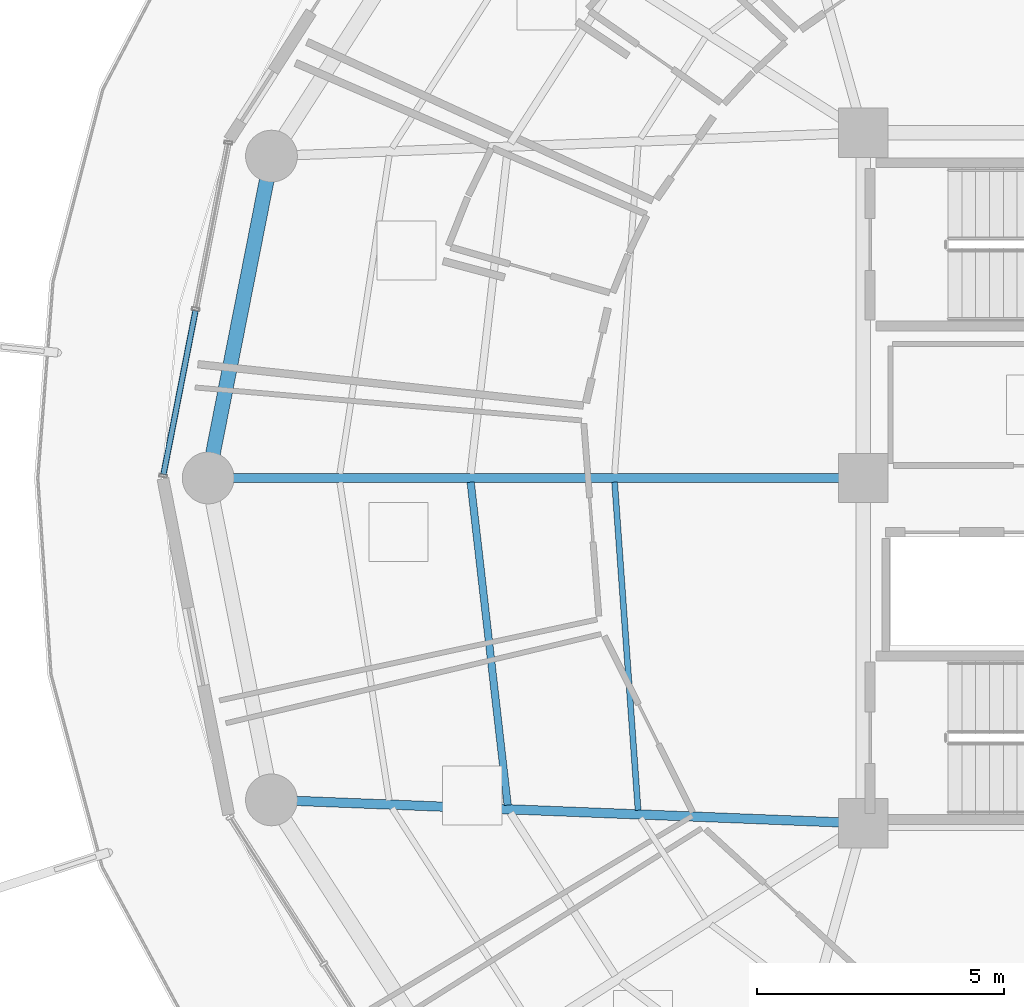
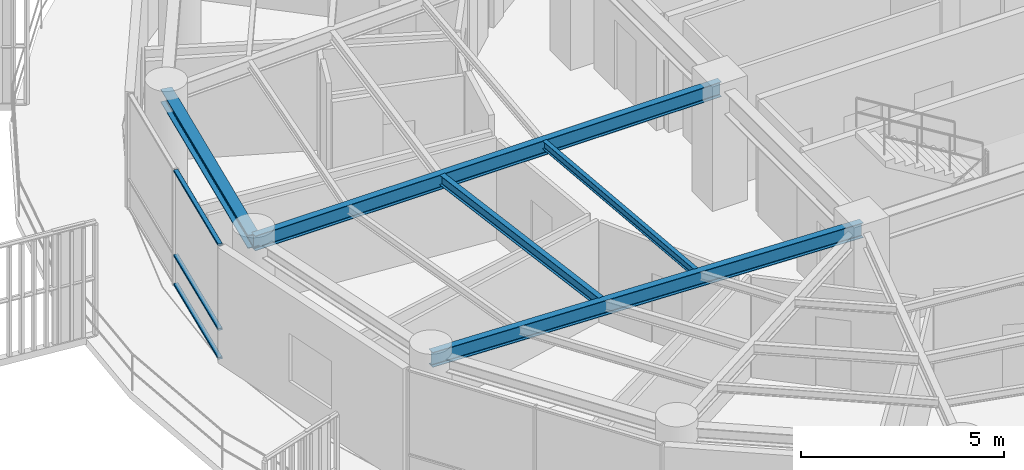
# One storey, part 7 of 31: 5 beams, 3 members, 1 element without a shape of its own.
"""IFC4 building model written with IfcOpenShell, lengths in metres."""

import ifcopenshell
import ifcopenshell.guid

model = None  # the IFC model being written
_history = None  # IfcOwnerHistory: only IFC2X3 demands one
_inside = {}  # id of a spatial element -> (the spatial element, [elements in it])
_under = {}  # id of a project, library or spatial element -> (it, [spatial elements below it])
_declared = {}  # id of a project -> (the project, [libraries it declares])
_typed = {}  # id of a type object -> (the type object, [elements of that type])
_made_of = {}  # id of a material, layer set ... -> (it, [elements and type objects made of it])


def new_model(schema):
    """Start an empty IFC model of exactly this schema.

    Asked for "IFC4X3", IfcOpenShell would pick the latest addendum, in which some entities
    have other attributes; the version numbers below select the first issue.
    IFC2X3 requires an IfcOwnerHistory on every rooted entity: one is made here for all.
    """
    global model, _history
    if schema == "IFC4X3":
        model = ifcopenshell.file(schema_version=(4, 3, 0, 0))
    else:
        model = ifcopenshell.file(schema=schema)
    _inside.clear()
    _under.clear()
    _declared.clear()
    _typed.clear()
    _made_of.clear()
    _history = None
    if model.schema == "IFC2X3":
        org = make("IfcOrganization", Name="unknown")
        user = make(
            "IfcPersonAndOrganization",
            ThePerson=make("IfcPerson", FamilyName="unknown"),
            TheOrganization=org,
        )
        app = make(
            "IfcApplication",
            ApplicationDeveloper=org,
            Version="unknown",
            ApplicationFullName="unknown",
            ApplicationIdentifier="unknown",
        )
        _history = make(
            "IfcOwnerHistory",
            OwningUser=user,
            OwningApplication=app,
            ChangeAction="ADDED",
            CreationDate=0,
        )
    return model


def make(cls, **values):
    """One entity of the class cls with the attributes given. An attribute that is None is left unset."""
    return model.create_entity(
        cls, **{name: value for name, value in values.items() if value is not None}
    )


def rooted(cls, **values):
    """An entity with a GlobalId (a new one), such as an element, a storey or a relation."""
    return make(cls, GlobalId=ifcopenshell.guid.new(), OwnerHistory=_history, **values)


def si_unit(unit_type, name, prefix=None):
    """IfcSIUnit, for example si_unit("LENGTHUNIT", "METRE", prefix="MILLI")."""
    return make("IfcSIUnit", UnitType=unit_type, Prefix=prefix, Name=name)


def assignment(units):
    """IfcUnitAssignment: the units of a project."""
    return None if units is None else make("IfcUnitAssignment", Units=units)


def point(xyz):
    """IfcCartesianPoint."""
    return None if xyz is None else make("IfcCartesianPoint", Coordinates=xyz)


def direction(xyz):
    """IfcDirection."""
    return None if xyz is None else make("IfcDirection", DirectionRatios=xyz)


def frame(location, z_axis=None, x_axis=None):
    """IfcAxis2Placement3D, a coordinate frame: its origin and axes. An axis left out is left unset."""
    return make(
        "IfcAxis2Placement3D",
        Location=point(location),
        Axis=direction(z_axis),
        RefDirection=direction(x_axis),
    )


def frame_2d(location, x_axis=None):
    """IfcAxis2Placement2D, a coordinate frame in the plane: its origin and x axis."""
    return make(
        "IfcAxis2Placement2D", Location=point(location), RefDirection=direction(x_axis)
    )


def origin():
    """The frame at (0, 0, 0) with its axes left unset."""
    return frame((0.0, 0.0, 0.0))


def origin_2d():
    """The frame at (0, 0) in the plane with its x axis left unset."""
    return frame_2d((0.0, 0.0))


def place(relative_to, where):
    """IfcLocalPlacement: puts the frame where relative to a parent placement (None: the world)."""
    return make(
        "IfcLocalPlacement", PlacementRelTo=relative_to, RelativePlacement=where
    )


def context(
    kind, dimensions, precision=None, world=None, true_north=None, identifier=None
):
    """IfcGeometricRepresentationContext, for example the 3D "Model" context."""
    return make(
        "IfcGeometricRepresentationContext",
        ContextIdentifier=identifier,
        ContextType=kind,
        CoordinateSpaceDimension=dimensions,
        Precision=precision,
        WorldCoordinateSystem=world,
        TrueNorth=true_north,
    )


def subcontext(parent, identifier, kind, view, scale=None):
    """IfcGeometricRepresentationSubContext, for example "Body" below "Model"."""
    return make(
        "IfcGeometricRepresentationSubContext",
        ContextIdentifier=identifier,
        ContextType=kind,
        ParentContext=parent,
        TargetScale=scale,
        TargetView=view,
    )


def project(units=None, contexts=None):
    """IfcProject with its units and contexts."""
    return rooted(
        "IfcProject",
        Name="project",
        RepresentationContexts=contexts,
        UnitsInContext=assignment(units),
    )


def spatial(cls, under=None, at=None, **own):
    """A site, building, storey or space (cls), placed at a placement, below another one or the project."""
    s = rooted(cls, ObjectPlacement=at, **own)
    if under is not None:
        _under.setdefault(under.id(), (under, []))[1].append(s)
    return s


def profile(cls, at=None, kind="AREA", **sizes):
    """A parametric profile (cls). Its sizes go by their IFC names, for example OverallWidth=200.0."""
    return make(cls, ProfileType=kind, Position=at, **sizes)


def hollow_rectangle(**sizes):
    """IfcRectangleHollowProfileDef."""
    return profile("IfcRectangleHollowProfileDef", **sizes)


def i_section(**sizes):
    """IfcIShapeProfileDef."""
    return profile("IfcIShapeProfileDef", **sizes)


def extrude(swept, where, along, depth):
    """IfcExtrudedAreaSolid: the profile swept, set in the frame where, extruded along a direction by depth."""
    return make(
        "IfcExtrudedAreaSolid",
        SweptArea=swept,
        Position=where,
        ExtrudedDirection=direction(along),
        Depth=depth,
    )


def shape(context_of_items, identifier, shape_type, items):
    """IfcShapeRepresentation: the items that make up one representation, for example the "Body"."""
    return make(
        "IfcShapeRepresentation",
        ContextOfItems=context_of_items,
        RepresentationIdentifier=identifier,
        RepresentationType=shape_type,
        Items=items,
    )


def material(Name=None, Category=None):
    """IfcMaterial."""
    return make("IfcMaterial", Name=Name, Category=Category)


def layer(
    of_material, thickness, ventilated=None, Name=None, Category=None, Priority=None
):
    """IfcMaterialLayer: one layer of a wall or slab, of a material (None: an air gap)."""
    return make(
        "IfcMaterialLayer",
        Material=of_material,
        LayerThickness=thickness,
        IsVentilated=ventilated,
        Name=Name,
        Category=Category,
        Priority=Priority,
    )


def layer_set(layers, Name=None):
    """IfcMaterialLayerSet."""
    return make("IfcMaterialLayerSet", MaterialLayers=layers, LayerSetName=Name)


def material_profile(
    of_material, cross_section, Name=None, Category=None, Priority=None
):
    """IfcMaterialProfile: a cross section and its material."""
    return make(
        "IfcMaterialProfile",
        Name=Name,
        Material=of_material,
        Profile=cross_section,
        Priority=Priority,
        Category=Category,
    )


def profile_set(profiles, Name=None, composite=None):
    """IfcMaterialProfileSet."""
    return make(
        "IfcMaterialProfileSet",
        Name=Name,
        MaterialProfiles=profiles,
        CompositeProfile=composite,
    )


def made_of(thing, what):
    """Note that an element or type object is made of a material, layer set ...; save() writes the relation."""
    if what is not None:
        _made_of.setdefault(what.id(), (what, []))[1].append(thing)
    return thing


def type_object(cls, material=None, **own):
    """A type object (cls), such as IfcWallType, which elements share."""
    return made_of(rooted(cls, **own), material)


def element(
    cls,
    number,
    at=None,
    inside=None,
    cuts=None,
    type_object=None,
    material=None,
    context=None,
    identifier="Body",
    shape_type=None,
    held_by="IfcProductDefinitionShape",
    body=None,
    shapes=None,
    **own,
):
    """One element of the class cls, such as IfcWall. Its Tag is "e" and its number.

    at: its placement. inside: the storey or other place that contains it. cuts: it is an
    opening in that element (IfcRelVoidsElement). A single representation is given by context,
    identifier, shape_type and body (its items); several are given by shapes. held_by: the class
    of the entity that holds the representations. save() writes the other relations.
    """
    e = rooted(cls, Tag="e%d" % number, ObjectPlacement=at, **own)
    if body is not None:
        shapes = [shape(context, identifier, shape_type, body)]
    if shapes is not None:
        e.Representation = make(held_by, Representations=shapes)
    if inside is not None:
        _inside.setdefault(inside.id(), (inside, []))[1].append(e)
    if cuts is not None:
        rooted(
            "IfcRelVoidsElement", RelatingBuildingElement=cuts, RelatedOpeningElement=e
        )
    if type_object is not None:
        _typed.setdefault(type_object.id(), (type_object, []))[1].append(e)
    return made_of(e, material)


def aggregate(whole, parts):
    """IfcRelAggregates: a whole, such as a stair, and the parts it consists of."""
    return rooted("IfcRelAggregates", RelatingObject=whole, RelatedObjects=parts)


def save(model, path):
    """Write the relations noted so far, then the file.

    IfcRelAggregates (storeys below a building ...), IfcRelContainedInSpatialStructure (elements
    in a storey), IfcRelDefinesByType, IfcRelAssociatesMaterial and IfcRelDeclares: one each for
    every whole, place, type object, material and project.
    """
    for whole, parts in _under.values():
        aggregate(whole, parts)
    for where, things in _inside.values():
        rooted(
            "IfcRelContainedInSpatialStructure",
            RelatedElements=things,
            RelatingStructure=where,
        )
    for kind, things in _typed.values():
        rooted("IfcRelDefinesByType", RelatedObjects=things, RelatingType=kind)
    for what, things in _made_of.values():
        rooted("IfcRelAssociatesMaterial", RelatedObjects=things, RelatingMaterial=what)
    for by, libraries in _declared.values():
        rooted("IfcRelDeclares", RelatingContext=by, RelatedDefinitions=libraries)
    model.write(path)


model = new_model("IFC4")

# Units and contexts
model_context = context("Model", 3, precision=1e-05, world=origin(), true_north=direction((0.0, 1.0)))
body_context = subcontext(model_context, "Body", "Model", "MODEL_VIEW")
ifc_project = project(units=[si_unit("LENGTHUNIT", "METRE"), si_unit("AREAUNIT", "SQUARE_METRE"), si_unit("VOLUMEUNIT", "CUBIC_METRE"), si_unit("PLANEANGLEUNIT", "RADIAN"), si_unit("MASSUNIT", "GRAM", prefix="KILO")], contexts=[model_context])

# Site, building, storey
site_placement = place(None, origin())
site = spatial("IfcSite", under=ifc_project, at=site_placement, CompositionType="ELEMENT")
building_placement = place(site_placement, origin())
building = spatial("IfcBuilding", under=site, at=building_placement, Name="Kelanora Arch Commons", CompositionType="ELEMENT")
storey_placement = place(building_placement, frame((0.0, 0.0, 223.199951171875)))
storey = spatial("IfcBuildingStorey", under=building, at=storey_placement, Name="L57", CompositionType="ELEMENT", Elevation=223.199951171875)

# Beams
ifc_material_1 = material(Name="Steel S355", Category="steel")
ifc_material_profile_1 = material_profile(ifc_material_1, i_section(OverallWidth=0.14990234375, OverallDepth=0.300048828125, WebThickness=0.007080078125, FlangeThickness=0.0107421875, FilletRadius=0.014892578125, at=origin_2d()), Name="IPE300")
ifc_profile_set_1 = profile_set([ifc_material_profile_1], Name="Steel S355")
beam_type_1 = type_object("IfcBeamType", Name="BM-JST-01", PredefinedType="JOIST", material=ifc_profile_set_1)
beam_1_placement = place(storey_placement, frame((58.041748046875, 57.91552734375, 3.340087890625), z_axis=(0.113891408177, -0.993493204377, 0.0), x_axis=(0.993493204377, 0.113891408177, 0.0)))
element("IfcBeam", 1, at=beam_1_placement, inside=storey, type_object=beam_type_1, Name="Secondary Chord Joist BJB-18 L57", PredefinedType="JOIST", context=body_context, shape_type="SweptSolid", body=[
    extrude(i_section(OverallWidth=0.14990234375, OverallDepth=0.300048828125, WebThickness=0.007080078125, FlangeThickness=0.0107421875, FilletRadius=0.014892578125, at=origin_2d()), origin(), (0.0, 0.0, 1.0), 6.589599609375),
])
ifc_material_profile_2 = material_profile(ifc_material_1, i_section(OverallWidth=0.1201171875, OverallDepth=0.239990234375, WebThickness=0.006103515625, FlangeThickness=0.009765625, FilletRadius=0.014892578125, at=origin_2d()), Name="IPE240")
ifc_profile_set_2 = profile_set([ifc_material_profile_2], Name="Steel S355")
beam_type_2 = type_object("IfcBeamType", Name="BM-JST-02", PredefinedType="JOIST", material=ifc_profile_set_2)
beam_2_placement = place(storey_placement, frame((60.959716796875, 57.915283203125, 3.3701171875), z_axis=(0.07133032136, -0.997452748382, 0.0), x_axis=(0.997452748382, 0.07133032136, 0.0)))
element("IfcBeam", 2, at=beam_2_placement, inside=storey, type_object=beam_type_2, Name="Secondary Chord Joist BJA-18 L57", PredefinedType="JOIST", context=body_context, shape_type="SweptSolid", body=[
    extrude(i_section(OverallWidth=0.1201171875, OverallDepth=0.239990234375, WebThickness=0.006103515625, FlangeThickness=0.009765625, FilletRadius=0.014892578125, at=origin_2d()), origin(), (0.0, 0.0, 1.0), 6.66748046875),
])
ifc_material_profile_3 = material_profile(ifc_material_1, i_section(OverallWidth=0.18994140625, OverallDepth=0.449951171875, WebThickness=0.009521484375, FlangeThickness=0.0146484375, FilletRadius=0.02099609375, at=origin_2d()), Name="IPE450")
ifc_profile_set_3 = profile_set([ifc_material_profile_3], Name="Steel S355")
beam_type_3 = type_object("IfcBeamType", Name="BM-RAD-Z4", PredefinedType="BEAM", material=ifc_profile_set_3)
beam_3_placement = place(storey_placement, frame((66.0, 58.0, 3.26513671875), z_axis=(-1.0, 0.0, 0.0), x_axis=(0.0, -1.0, 0.0)))
element("IfcBeam", 3, at=beam_3_placement, inside=storey, type_object=beam_type_3, Name="Radial Floor Girder BR-18 L57", PredefinedType="BEAM", context=body_context, shape_type="SweptSolid", body=[
    extrude(i_section(OverallWidth=0.18994140625, OverallDepth=0.449951171875, WebThickness=0.009521484375, FlangeThickness=0.0146484375, FilletRadius=0.02099609375, at=origin_2d()), origin(), (0.0, 0.0, 1.0), 13.280029296875),
])
beam_4_placement = place(storey_placement, frame((66.0, 51.0, 3.26513671875), z_axis=(-0.999219142585, 0.03951082246, 0.0), x_axis=(-0.03951082246, -0.999219142585, 0.0)))
element("IfcBeam", 4, at=beam_4_placement, inside=storey, type_object=beam_type_3, Name="Radial Floor Girder BR-20 L57", PredefinedType="BEAM", context=body_context, shape_type="SweptSolid", body=[
    extrude(i_section(OverallWidth=0.18994140625, OverallDepth=0.449951171875, WebThickness=0.009521484375, FlangeThickness=0.0146484375, FilletRadius=0.02099609375, at=origin_2d()), origin(), (0.0, 0.0, 1.0), 12.005859375),
])
ifc_material_profile_4 = material_profile(ifc_material_1, i_section(OverallWidth=0.300048828125, OverallDepth=0.39990234375, WebThickness=0.013427734375, FlangeThickness=0.02392578125, FilletRadius=0.027099609375, at=origin_2d()), Name="HEB400")
ifc_profile_set_4 = profile_set([ifc_material_profile_4], Name="Steel S355")
beam_type_4 = type_object("IfcBeamType", Name="BM-SPN-Z4", PredefinedType="SPANDREL", material=ifc_profile_set_4)
beam_5_placement = place(storey_placement, frame((54.00341796875, 64.525634765625, 3.2900390625), z_axis=(-0.192980724826, -0.981202547819, 0.0), x_axis=(0.981202547819, -0.192980724826, 0.0)))
element("IfcBeam", 5, at=beam_5_placement, inside=storey, type_object=beam_type_4, Name="Perimeter Spandrel Beam BS-16 L57", PredefinedType="SPANDREL", context=body_context, shape_type="SweptSolid", body=[
    extrude(i_section(OverallWidth=0.300048828125, OverallDepth=0.39990234375, WebThickness=0.013427734375, FlangeThickness=0.02392578125, FilletRadius=0.027099609375, at=origin_2d()), origin(), (0.0, 0.0, 1.0), 6.650634765625),
])

# Curtain wall, members
ifc_material_2 = material(Name="Terracotta ceramic-fritted low-E glass and aluminium", Category="masonry")
ifc_layer = layer(ifc_material_2, 0.175048828125)
ifc_layer_set = layer_set([ifc_layer], Name="Terracotta ceramic-fritted low-E glass and aluminium")
curtain_wall_type = type_object("IfcCurtainWallType", Name="CW-SYS-02", PredefinedType="NOTDEFINED", material=ifc_layer_set)
curtain_wall_placement = place(storey_placement, origin())
curtain_wall = element("IfcCurtainWall", 6, at=curtain_wall_placement, inside=storey, type_object=curtain_wall_type, Name="Unitised Curtain Wall L57-B08", PredefinedType="NOTDEFINED")
ifc_material_3 = material(Name="Powder-coated aluminium terracotta", Category="masonry")
ifc_material_profile_5 = material_profile(ifc_material_3, hollow_rectangle(XDim=0.1201171875, YDim=0.06005859375, WallThickness=0.0048828125, InnerFilletRadius=0.0048828125, OuterFilletRadius=0.010009765625, at=origin_2d()), Name="CWT120x60")
ifc_profile_set_5 = profile_set([ifc_material_profile_5], Name="Powder-coated aluminium terracotta")
member_type = type_object("IfcMemberType", Name="CWT-STD", PredefinedType="USERDEFINED", material=ifc_profile_set_5)
member_1_placement = place(storey_placement, frame((52.463623046875, 61.390869140625, 0.030029296875), z_axis=(-0.192044874899, -0.981386145218, 0.0), x_axis=(0.981386145218, -0.192044874899, 0.0)))
member_1 = element("IfcMember", 7, at=member_1_placement, type_object=member_type, Name="CW-02 transom 2.1", ObjectType="TRANSOM", PredefinedType="USERDEFINED", context=body_context, shape_type="SweptSolid", body=[
    extrude(hollow_rectangle(XDim=0.1201171875, YDim=0.06005859375, WallThickness=0.0048828125, InnerFilletRadius=0.0048828125, OuterFilletRadius=0.010009765625, at=origin_2d()), origin(), (0.0, 0.0, 1.0), 3.38037109375),
])
member_2_placement = place(storey_placement, frame((52.463623046875, 61.390869140625, 0.900146484375), z_axis=(-0.192044874899, -0.981386145218, 0.0), x_axis=(0.981386145218, -0.192044874899, 0.0)))
member_2 = element("IfcMember", 8, at=member_2_placement, type_object=member_type, Name="CW-02 transom 2.2", ObjectType="TRANSOM", PredefinedType="USERDEFINED", context=body_context, shape_type="SweptSolid", body=[
    extrude(hollow_rectangle(XDim=0.1201171875, YDim=0.06005859375, WallThickness=0.0048828125, InnerFilletRadius=0.0048828125, OuterFilletRadius=0.010009765625, at=origin_2d()), origin(), (0.0, 0.0, 1.0), 3.38037109375),
])
member_3_placement = place(storey_placement, frame((52.463623046875, 61.390869140625, 3.445068359375), z_axis=(-0.192044874899, -0.981386145218, 0.0), x_axis=(0.981386145218, -0.192044874899, 0.0)))
member_3 = element("IfcMember", 9, at=member_3_placement, type_object=member_type, Name="CW-02 transom 2.3", ObjectType="TRANSOM", PredefinedType="USERDEFINED", context=body_context, shape_type="SweptSolid", body=[
    extrude(hollow_rectangle(XDim=0.1201171875, YDim=0.06005859375, WallThickness=0.0048828125, InnerFilletRadius=0.0048828125, OuterFilletRadius=0.010009765625, at=origin_2d()), origin(), (0.0, 0.0, 1.0), 3.38037109375),
])
aggregate(curtain_wall, [member_1, member_2, member_3])

save(model, "model.ifc")
